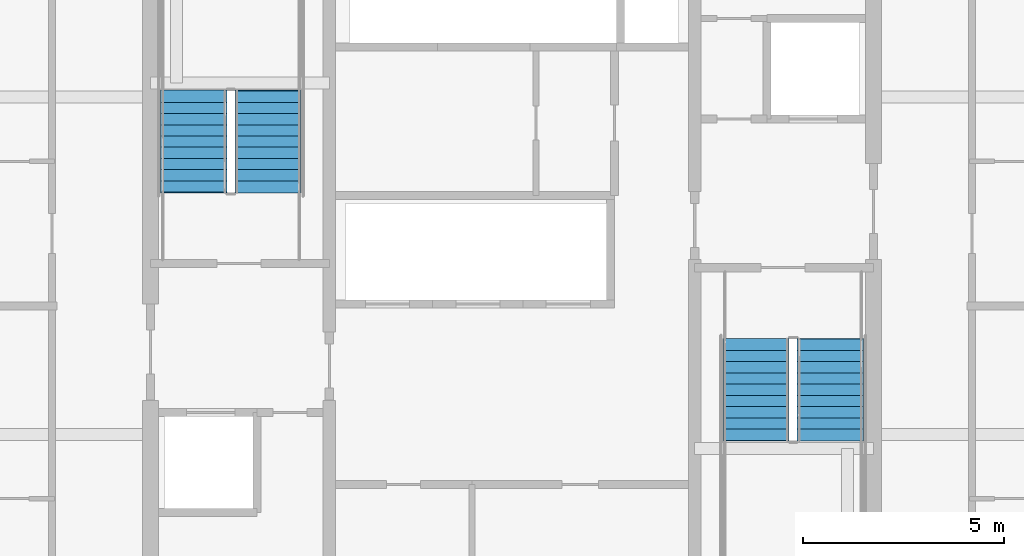
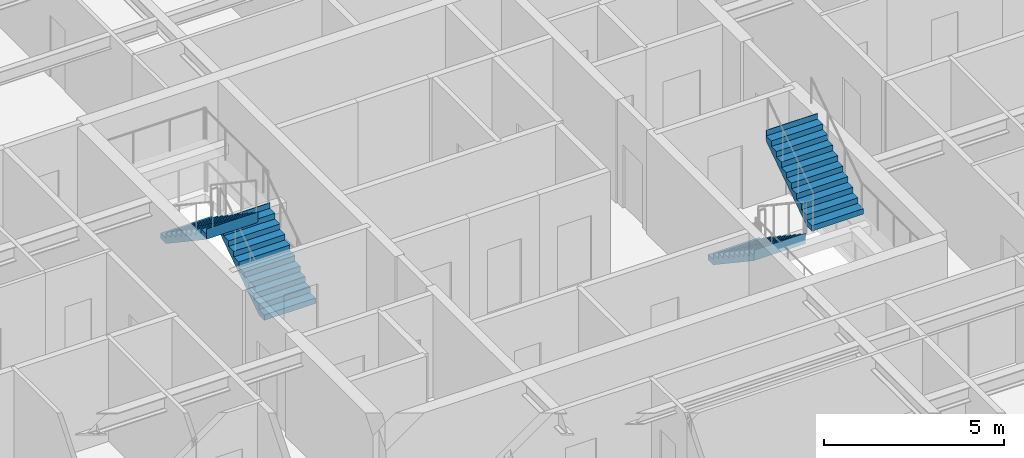
# One storey, part 33 of 39: 4 stair flights, 2 elements without a shape of their own.
"""IFC4 building model written with IfcOpenShell, lengths in metres."""

from ifc_helpers import new_model, si_unit, direction, frame, origin, place, context, subcontext, project, spatial, polygons, material, type_object, element, aggregate, save


model = new_model("IFC4")

# Units and contexts
model_context = context("Model", 3, precision=1e-05, world=origin(), true_north=direction((0.0, 1.0)))
body_context = subcontext(model_context, "Body", "Model", "MODEL_VIEW")
ifc_project = project(units=[si_unit("LENGTHUNIT", "METRE"), si_unit("AREAUNIT", "SQUARE_METRE"), si_unit("VOLUMEUNIT", "CUBIC_METRE"), si_unit("PLANEANGLEUNIT", "RADIAN"), si_unit("MASSUNIT", "GRAM", prefix="KILO")], contexts=[model_context])

# Site, building, storey
site_placement = place(None, origin())
site = spatial("IfcSite", under=ifc_project, at=site_placement, CompositionType="ELEMENT")
building_placement = place(site_placement, origin())
building = spatial("IfcBuilding", under=site, at=building_placement, Name="Serunith Strait Residences", CompositionType="ELEMENT")
storey_placement = place(building_placement, frame((0.0, 0.0, 123.89990234375)))
storey = spatial("IfcBuildingStorey", under=building, at=storey_placement, Name="L30", CompositionType="ELEMENT", Elevation=123.89990234375)

# Stair, stair flights
ifc_material = material(Name="Concrete C50/60", Category="concrete")
stair_type_1 = type_object("IfcStairType", Name="STR-CORE-1", PredefinedType="HALF_TURN_STAIR", material=ifc_material)
stair_1_placement = place(storey_placement, origin())
stair_1 = element("IfcStair", 1, at=stair_1_placement, inside=storey, type_object=stair_type_1, Name="L30 Protected Escape Stair ST-1", PredefinedType="HALF_TURN_STAIR")
stair_flight_type_1 = type_object("IfcStairFlightType", Name="FLT-CORE-1", PredefinedType="STRAIGHT", material=ifc_material)
stair_flight_1_placement = place(storey_placement, frame((26.324951171875, 27.030029296875, 0.0), z_axis=(0.0, 0.0, 1.0), x_axis=(0.0, 1.0, 0.0)))
stair_flight_1 = element("IfcStairFlight", 2, at=stair_flight_1_placement, type_object=stair_flight_type_1, Name="ST-1 flight 1", NumberOfRisers=10, NumberOfTreads=9, PredefinedType="STRAIGHT", RiserHeight=0.1875, TreadLength=0.28, context=body_context, shape_type="Tessellation", body=[
    polygons([(-0.02001953125, -0.824951171875, 0.0), (-0.02001953125, -0.824951171875, 0.1875), (0.280029296875, -0.824951171875, 0.1875), (0.280029296875, -0.824951171875, 0.375), (0.56005859375, -0.824951171875, 0.375), (0.56005859375, -0.824951171875, 0.5625), (0.840087890625, -0.824951171875, 0.5625), (0.840087890625, -0.824951171875, 0.75), (1.1201171875, -0.824951171875, 0.75), (1.1201171875, -0.824951171875, 0.9375), (1.39990234375, -0.824951171875, 0.9375), (1.39990234375, -0.824951171875, 1.125), (1.679931640625, -0.824951171875, 1.125), (1.679931640625, -0.824951171875, 1.3125), (1.9599609375, -0.824951171875, 1.3125), (1.9599609375, -0.824951171875, 1.5), (2.239990234375, -0.824951171875, 1.5), (2.239990234375, -0.824951171875, 1.6875), (2.52001953125, -0.824951171875, 1.6875), (2.52001953125, -0.824951171875, 1.875), (2.5400390625, -0.824951171875, 1.875), (2.5400390625, -0.824951171875, 1.81494140625), (2.52001953125, -0.824951171875, 1.507080078125), (0.26953125, -0.824951171875, 0.0), (-0.02001953125, -0.41259765625, 0.0), (-0.02001953125, -0.41259765625, 0.1875), (0.280029296875, -0.41259765625, 0.1875), (0.280029296875, -0.41259765625, 0.375), (0.56005859375, -0.41259765625, 0.375), (0.56005859375, -0.41259765625, 0.5625), (0.840087890625, -0.41259765625, 0.5625), (0.840087890625, -0.41259765625, 0.75), (1.1201171875, -0.41259765625, 0.75), (1.1201171875, -0.41259765625, 0.9375), (1.39990234375, -0.41259765625, 0.9375), (1.39990234375, -0.41259765625, 1.125), (1.679931640625, -0.41259765625, 1.125), (1.679931640625, -0.41259765625, 1.3125), (1.9599609375, -0.41259765625, 1.3125), (1.9599609375, -0.41259765625, 1.5), (2.239990234375, -0.41259765625, 1.5), (2.239990234375, -0.41259765625, 1.6875), (2.52001953125, -0.41259765625, 1.6875), (2.52001953125, -0.41259765625, 1.875), (2.5400390625, -0.41259765625, 1.875), (2.5400390625, -0.41259765625, 1.81494140625), (2.52001953125, -0.41259765625, 1.507080078125), (0.26953125, -0.41259765625, 0.0), (-0.02001953125, 0.0, 0.0), (-0.02001953125, 0.0, 0.1875), (0.280029296875, 0.0, 0.1875), (0.280029296875, 0.0, 0.375), (0.56005859375, 0.0, 0.375), (0.56005859375, 0.0, 0.5625), (0.840087890625, 0.0, 0.5625), (0.840087890625, 0.0, 0.75), (1.1201171875, 0.0, 0.75), (1.1201171875, 0.0, 0.9375), (1.39990234375, 0.0, 0.9375), (1.39990234375, 0.0, 1.125), (1.679931640625, 0.0, 1.125), (1.679931640625, 0.0, 1.3125), (1.9599609375, 0.0, 1.3125), (1.9599609375, 0.0, 1.5), (2.239990234375, 0.0, 1.5), (2.239990234375, 0.0, 1.6875), (2.52001953125, 0.0, 1.6875), (2.52001953125, 0.0, 1.875), (2.5400390625, 0.0, 1.875), (2.5400390625, 0.0, 1.81494140625), (2.52001953125, 0.0, 1.507080078125), (0.26953125, 0.0, 0.0), (-0.02001953125, 0.41259765625, 0.0), (-0.02001953125, 0.41259765625, 0.1875), (0.280029296875, 0.41259765625, 0.1875), (0.280029296875, 0.41259765625, 0.375), (0.56005859375, 0.41259765625, 0.375), (0.56005859375, 0.41259765625, 0.5625), (0.840087890625, 0.41259765625, 0.5625), (0.840087890625, 0.41259765625, 0.75), (1.1201171875, 0.41259765625, 0.75), (1.1201171875, 0.41259765625, 0.9375), (1.39990234375, 0.41259765625, 0.9375), (1.39990234375, 0.41259765625, 1.125), (1.679931640625, 0.41259765625, 1.125), (1.679931640625, 0.41259765625, 1.3125), (1.9599609375, 0.41259765625, 1.3125), (1.9599609375, 0.41259765625, 1.5), (2.239990234375, 0.41259765625, 1.5), (2.239990234375, 0.41259765625, 1.6875), (2.52001953125, 0.41259765625, 1.6875), (2.52001953125, 0.41259765625, 1.875), (2.5400390625, 0.41259765625, 1.875), (2.5400390625, 0.41259765625, 1.81494140625), (2.52001953125, 0.41259765625, 1.507080078125), (0.26953125, 0.41259765625, 0.0), (-0.02001953125, 0.824951171875, 0.0), (-0.02001953125, 0.824951171875, 0.1875), (0.280029296875, 0.824951171875, 0.1875), (0.280029296875, 0.824951171875, 0.375), (0.56005859375, 0.824951171875, 0.375), (0.56005859375, 0.824951171875, 0.5625), (0.840087890625, 0.824951171875, 0.5625), (0.840087890625, 0.824951171875, 0.75), (1.1201171875, 0.824951171875, 0.75), (1.1201171875, 0.824951171875, 0.9375), (1.39990234375, 0.824951171875, 0.9375), (1.39990234375, 0.824951171875, 1.125), (1.679931640625, 0.824951171875, 1.125), (1.679931640625, 0.824951171875, 1.3125), (1.9599609375, 0.824951171875, 1.3125), (1.9599609375, 0.824951171875, 1.5), (2.239990234375, 0.824951171875, 1.5), (2.239990234375, 0.824951171875, 1.6875), (2.52001953125, 0.824951171875, 1.6875), (2.52001953125, 0.824951171875, 1.875), (2.5400390625, 0.824951171875, 1.875), (2.5400390625, 0.824951171875, 1.81494140625), (2.52001953125, 0.824951171875, 1.507080078125), (0.26953125, 0.824951171875, 0.0)], [[[1, 2, 26, 25]], [[2, 3, 27, 26]], [[3, 4, 28, 27]], [[4, 5, 29, 28]], [[5, 6, 30, 29]], [[6, 7, 31, 30]], [[7, 8, 32, 31]], [[8, 9, 33, 32]], [[9, 10, 34, 33]], [[10, 11, 35, 34]], [[11, 12, 36, 35]], [[12, 13, 37, 36]], [[13, 14, 38, 37]], [[14, 15, 39, 38]], [[15, 16, 40, 39]], [[16, 17, 41, 40]], [[17, 18, 42, 41]], [[18, 19, 43, 42]], [[19, 20, 44, 43]], [[20, 21, 45, 44]], [[21, 22, 46, 45]], [[22, 23, 47, 46]], [[23, 24, 48, 47]], [[24, 1, 25, 48]], [[25, 26, 50, 49]], [[26, 27, 51, 50]], [[27, 28, 52, 51]], [[28, 29, 53, 52]], [[29, 30, 54, 53]], [[30, 31, 55, 54]], [[31, 32, 56, 55]], [[32, 33, 57, 56]], [[33, 34, 58, 57]], [[34, 35, 59, 58]], [[35, 36, 60, 59]], [[36, 37, 61, 60]], [[37, 38, 62, 61]], [[38, 39, 63, 62]], [[39, 40, 64, 63]], [[40, 41, 65, 64]], [[41, 42, 66, 65]], [[42, 43, 67, 66]], [[43, 44, 68, 67]], [[44, 45, 69, 68]], [[45, 46, 70, 69]], [[46, 47, 71, 70]], [[47, 48, 72, 71]], [[48, 25, 49, 72]], [[49, 50, 74, 73]], [[50, 51, 75, 74]], [[51, 52, 76, 75]], [[52, 53, 77, 76]], [[53, 54, 78, 77]], [[54, 55, 79, 78]], [[55, 56, 80, 79]], [[56, 57, 81, 80]], [[57, 58, 82, 81]], [[58, 59, 83, 82]], [[59, 60, 84, 83]], [[60, 61, 85, 84]], [[61, 62, 86, 85]], [[62, 63, 87, 86]], [[63, 64, 88, 87]], [[64, 65, 89, 88]], [[65, 66, 90, 89]], [[66, 67, 91, 90]], [[67, 68, 92, 91]], [[68, 69, 93, 92]], [[69, 70, 94, 93]], [[70, 71, 95, 94]], [[71, 72, 96, 95]], [[72, 49, 73, 96]], [[73, 74, 98, 97]], [[74, 75, 99, 98]], [[75, 76, 100, 99]], [[76, 77, 101, 100]], [[77, 78, 102, 101]], [[78, 79, 103, 102]], [[79, 80, 104, 103]], [[80, 81, 105, 104]], [[81, 82, 106, 105]], [[82, 83, 107, 106]], [[83, 84, 108, 107]], [[84, 85, 109, 108]], [[85, 86, 110, 109]], [[86, 87, 111, 110]], [[87, 88, 112, 111]], [[88, 89, 113, 112]], [[89, 90, 114, 113]], [[90, 91, 115, 114]], [[91, 92, 116, 115]], [[92, 93, 117, 116]], [[93, 94, 118, 117]], [[94, 95, 119, 118]], [[95, 96, 120, 119]], [[96, 73, 97, 120]], [[24, 23, 22, 21, 20, 19, 18, 17, 16, 15, 14, 13, 12, 11, 10, 9, 8, 7, 6, 5, 4, 3, 2, 1]], [[97, 98, 99, 100, 101, 102, 103, 104, 105, 106, 107, 108, 109, 110, 111, 112, 113, 114, 115, 116, 117, 118, 119, 120]]], closed=True),
])
stair_flight_2_placement = place(storey_placement, frame((24.47509765625, 29.550048828125, 1.875), z_axis=(0.0, 0.0, 1.0), x_axis=(0.0, -1.0, 0.0)))
stair_flight_2 = element("IfcStairFlight", 3, at=stair_flight_2_placement, type_object=stair_flight_type_1, Name="ST-1 flight 2", NumberOfRisers=10, NumberOfTreads=9, PredefinedType="STRAIGHT", RiserHeight=0.1875, TreadLength=0.28, context=body_context, shape_type="Tessellation", body=[
    polygons([(-0.02001953125, -0.824951171875, 0.0), (-0.02001953125, -0.824951171875, 0.1875), (0.280029296875, -0.824951171875, 0.1875), (0.280029296875, -0.824951171875, 0.375), (0.56005859375, -0.824951171875, 0.375), (0.56005859375, -0.824951171875, 0.5625), (0.840087890625, -0.824951171875, 0.5625), (0.840087890625, -0.824951171875, 0.75), (1.1201171875, -0.824951171875, 0.75), (1.1201171875, -0.824951171875, 0.9375), (1.39990234375, -0.824951171875, 0.9375), (1.39990234375, -0.824951171875, 1.125), (1.679931640625, -0.824951171875, 1.125), (1.679931640625, -0.824951171875, 1.3125), (1.9599609375, -0.824951171875, 1.3125), (1.9599609375, -0.824951171875, 1.5), (2.239990234375, -0.824951171875, 1.5), (2.239990234375, -0.824951171875, 1.6875), (2.52001953125, -0.824951171875, 1.6875), (2.52001953125, -0.824951171875, 1.875), (2.5400390625, -0.824951171875, 1.875), (2.5400390625, -0.824951171875, 1.81494140625), (2.52001953125, -0.824951171875, 1.507080078125), (0.26953125, -0.824951171875, 0.0), (-0.02001953125, -0.41259765625, 0.0), (-0.02001953125, -0.41259765625, 0.1875), (0.280029296875, -0.41259765625, 0.1875), (0.280029296875, -0.41259765625, 0.375), (0.56005859375, -0.41259765625, 0.375), (0.56005859375, -0.41259765625, 0.5625), (0.840087890625, -0.41259765625, 0.5625), (0.840087890625, -0.41259765625, 0.75), (1.1201171875, -0.41259765625, 0.75), (1.1201171875, -0.41259765625, 0.9375), (1.39990234375, -0.41259765625, 0.9375), (1.39990234375, -0.41259765625, 1.125), (1.679931640625, -0.41259765625, 1.125), (1.679931640625, -0.41259765625, 1.3125), (1.9599609375, -0.41259765625, 1.3125), (1.9599609375, -0.41259765625, 1.5), (2.239990234375, -0.41259765625, 1.5), (2.239990234375, -0.41259765625, 1.6875), (2.52001953125, -0.41259765625, 1.6875), (2.52001953125, -0.41259765625, 1.875), (2.5400390625, -0.41259765625, 1.875), (2.5400390625, -0.41259765625, 1.81494140625), (2.52001953125, -0.41259765625, 1.507080078125), (0.26953125, -0.41259765625, 0.0), (-0.02001953125, 0.0, 0.0), (-0.02001953125, 0.0, 0.1875), (0.280029296875, 0.0, 0.1875), (0.280029296875, 0.0, 0.375), (0.56005859375, 0.0, 0.375), (0.56005859375, 0.0, 0.5625), (0.840087890625, 0.0, 0.5625), (0.840087890625, 0.0, 0.75), (1.1201171875, 0.0, 0.75), (1.1201171875, 0.0, 0.9375), (1.39990234375, 0.0, 0.9375), (1.39990234375, 0.0, 1.125), (1.679931640625, 0.0, 1.125), (1.679931640625, 0.0, 1.3125), (1.9599609375, 0.0, 1.3125), (1.9599609375, 0.0, 1.5), (2.239990234375, 0.0, 1.5), (2.239990234375, 0.0, 1.6875), (2.52001953125, 0.0, 1.6875), (2.52001953125, 0.0, 1.875), (2.5400390625, 0.0, 1.875), (2.5400390625, 0.0, 1.81494140625), (2.52001953125, 0.0, 1.507080078125), (0.26953125, 0.0, 0.0), (-0.02001953125, 0.41259765625, 0.0), (-0.02001953125, 0.41259765625, 0.1875), (0.280029296875, 0.41259765625, 0.1875), (0.280029296875, 0.41259765625, 0.375), (0.56005859375, 0.41259765625, 0.375), (0.56005859375, 0.41259765625, 0.5625), (0.840087890625, 0.41259765625, 0.5625), (0.840087890625, 0.41259765625, 0.75), (1.1201171875, 0.41259765625, 0.75), (1.1201171875, 0.41259765625, 0.9375), (1.39990234375, 0.41259765625, 0.9375), (1.39990234375, 0.41259765625, 1.125), (1.679931640625, 0.41259765625, 1.125), (1.679931640625, 0.41259765625, 1.3125), (1.9599609375, 0.41259765625, 1.3125), (1.9599609375, 0.41259765625, 1.5), (2.239990234375, 0.41259765625, 1.5), (2.239990234375, 0.41259765625, 1.6875), (2.52001953125, 0.41259765625, 1.6875), (2.52001953125, 0.41259765625, 1.875), (2.5400390625, 0.41259765625, 1.875), (2.5400390625, 0.41259765625, 1.81494140625), (2.52001953125, 0.41259765625, 1.507080078125), (0.26953125, 0.41259765625, 0.0), (-0.02001953125, 0.824951171875, 0.0), (-0.02001953125, 0.824951171875, 0.1875), (0.280029296875, 0.824951171875, 0.1875), (0.280029296875, 0.824951171875, 0.375), (0.56005859375, 0.824951171875, 0.375), (0.56005859375, 0.824951171875, 0.5625), (0.840087890625, 0.824951171875, 0.5625), (0.840087890625, 0.824951171875, 0.75), (1.1201171875, 0.824951171875, 0.75), (1.1201171875, 0.824951171875, 0.9375), (1.39990234375, 0.824951171875, 0.9375), (1.39990234375, 0.824951171875, 1.125), (1.679931640625, 0.824951171875, 1.125), (1.679931640625, 0.824951171875, 1.3125), (1.9599609375, 0.824951171875, 1.3125), (1.9599609375, 0.824951171875, 1.5), (2.239990234375, 0.824951171875, 1.5), (2.239990234375, 0.824951171875, 1.6875), (2.52001953125, 0.824951171875, 1.6875), (2.52001953125, 0.824951171875, 1.875), (2.5400390625, 0.824951171875, 1.875), (2.5400390625, 0.824951171875, 1.81494140625), (2.52001953125, 0.824951171875, 1.507080078125), (0.26953125, 0.824951171875, 0.0)], [[[1, 2, 26, 25]], [[2, 3, 27, 26]], [[3, 4, 28, 27]], [[4, 5, 29, 28]], [[5, 6, 30, 29]], [[6, 7, 31, 30]], [[7, 8, 32, 31]], [[8, 9, 33, 32]], [[9, 10, 34, 33]], [[10, 11, 35, 34]], [[11, 12, 36, 35]], [[12, 13, 37, 36]], [[13, 14, 38, 37]], [[14, 15, 39, 38]], [[15, 16, 40, 39]], [[16, 17, 41, 40]], [[17, 18, 42, 41]], [[18, 19, 43, 42]], [[19, 20, 44, 43]], [[20, 21, 45, 44]], [[21, 22, 46, 45]], [[22, 23, 47, 46]], [[23, 24, 48, 47]], [[24, 1, 25, 48]], [[25, 26, 50, 49]], [[26, 27, 51, 50]], [[27, 28, 52, 51]], [[28, 29, 53, 52]], [[29, 30, 54, 53]], [[30, 31, 55, 54]], [[31, 32, 56, 55]], [[32, 33, 57, 56]], [[33, 34, 58, 57]], [[34, 35, 59, 58]], [[35, 36, 60, 59]], [[36, 37, 61, 60]], [[37, 38, 62, 61]], [[38, 39, 63, 62]], [[39, 40, 64, 63]], [[40, 41, 65, 64]], [[41, 42, 66, 65]], [[42, 43, 67, 66]], [[43, 44, 68, 67]], [[44, 45, 69, 68]], [[45, 46, 70, 69]], [[46, 47, 71, 70]], [[47, 48, 72, 71]], [[48, 25, 49, 72]], [[49, 50, 74, 73]], [[50, 51, 75, 74]], [[51, 52, 76, 75]], [[52, 53, 77, 76]], [[53, 54, 78, 77]], [[54, 55, 79, 78]], [[55, 56, 80, 79]], [[56, 57, 81, 80]], [[57, 58, 82, 81]], [[58, 59, 83, 82]], [[59, 60, 84, 83]], [[60, 61, 85, 84]], [[61, 62, 86, 85]], [[62, 63, 87, 86]], [[63, 64, 88, 87]], [[64, 65, 89, 88]], [[65, 66, 90, 89]], [[66, 67, 91, 90]], [[67, 68, 92, 91]], [[68, 69, 93, 92]], [[69, 70, 94, 93]], [[70, 71, 95, 94]], [[71, 72, 96, 95]], [[72, 49, 73, 96]], [[73, 74, 98, 97]], [[74, 75, 99, 98]], [[75, 76, 100, 99]], [[76, 77, 101, 100]], [[77, 78, 102, 101]], [[78, 79, 103, 102]], [[79, 80, 104, 103]], [[80, 81, 105, 104]], [[81, 82, 106, 105]], [[82, 83, 107, 106]], [[83, 84, 108, 107]], [[84, 85, 109, 108]], [[85, 86, 110, 109]], [[86, 87, 111, 110]], [[87, 88, 112, 111]], [[88, 89, 113, 112]], [[89, 90, 114, 113]], [[90, 91, 115, 114]], [[91, 92, 116, 115]], [[92, 93, 117, 116]], [[93, 94, 118, 117]], [[94, 95, 119, 118]], [[95, 96, 120, 119]], [[96, 73, 97, 120]], [[24, 23, 22, 21, 20, 19, 18, 17, 16, 15, 14, 13, 12, 11, 10, 9, 8, 7, 6, 5, 4, 3, 2, 1]], [[97, 98, 99, 100, 101, 102, 103, 104, 105, 106, 107, 108, 109, 110, 111, 112, 113, 114, 115, 116, 117, 118, 119, 120]]], closed=True),
])
aggregate(stair_1, [stair_flight_1, stair_flight_2])

stair_type_2 = type_object("IfcStairType", Name="STR-CORE-2", PredefinedType="HALF_TURN_STAIR", material=ifc_material)
stair_2_placement = place(storey_placement, origin())
stair_2 = element("IfcStair", 4, at=stair_2_placement, inside=storey, type_object=stair_type_2, Name="L30 Protected Escape Stair ST-2", PredefinedType="HALF_TURN_STAIR")
stair_flight_type_2 = type_object("IfcStairFlightType", Name="FLT-CORE-2", PredefinedType="STRAIGHT", material=ifc_material)
stair_flight_3_placement = place(storey_placement, frame((38.47509765625, 23.3701171875, 0.0), z_axis=(0.0, 0.0, 1.0), x_axis=(0.0, -1.0, 0.0)))
stair_flight_3 = element("IfcStairFlight", 5, at=stair_flight_3_placement, type_object=stair_flight_type_2, Name="ST-2 flight 1", NumberOfRisers=10, NumberOfTreads=9, PredefinedType="STRAIGHT", RiserHeight=0.1875, TreadLength=0.28, context=body_context, shape_type="Tessellation", body=[
    polygons([(-0.02001953125, -0.824951171875, 0.0), (-0.02001953125, -0.824951171875, 0.1875), (0.280029296875, -0.824951171875, 0.1875), (0.280029296875, -0.824951171875, 0.375), (0.56005859375, -0.824951171875, 0.375), (0.56005859375, -0.824951171875, 0.5625), (0.840087890625, -0.824951171875, 0.5625), (0.840087890625, -0.824951171875, 0.75), (1.1201171875, -0.824951171875, 0.75), (1.1201171875, -0.824951171875, 0.9375), (1.39990234375, -0.824951171875, 0.9375), (1.39990234375, -0.824951171875, 1.125), (1.679931640625, -0.824951171875, 1.125), (1.679931640625, -0.824951171875, 1.3125), (1.9599609375, -0.824951171875, 1.3125), (1.9599609375, -0.824951171875, 1.5), (2.239990234375, -0.824951171875, 1.5), (2.239990234375, -0.824951171875, 1.6875), (2.52001953125, -0.824951171875, 1.6875), (2.52001953125, -0.824951171875, 1.875), (2.5400390625, -0.824951171875, 1.875), (2.5400390625, -0.824951171875, 1.81494140625), (2.52001953125, -0.824951171875, 1.507080078125), (0.26953125, -0.824951171875, 0.0), (-0.02001953125, -0.41259765625, 0.0), (-0.02001953125, -0.41259765625, 0.1875), (0.280029296875, -0.41259765625, 0.1875), (0.280029296875, -0.41259765625, 0.375), (0.56005859375, -0.41259765625, 0.375), (0.56005859375, -0.41259765625, 0.5625), (0.840087890625, -0.41259765625, 0.5625), (0.840087890625, -0.41259765625, 0.75), (1.1201171875, -0.41259765625, 0.75), (1.1201171875, -0.41259765625, 0.9375), (1.39990234375, -0.41259765625, 0.9375), (1.39990234375, -0.41259765625, 1.125), (1.679931640625, -0.41259765625, 1.125), (1.679931640625, -0.41259765625, 1.3125), (1.9599609375, -0.41259765625, 1.3125), (1.9599609375, -0.41259765625, 1.5), (2.239990234375, -0.41259765625, 1.5), (2.239990234375, -0.41259765625, 1.6875), (2.52001953125, -0.41259765625, 1.6875), (2.52001953125, -0.41259765625, 1.875), (2.5400390625, -0.41259765625, 1.875), (2.5400390625, -0.41259765625, 1.81494140625), (2.52001953125, -0.41259765625, 1.507080078125), (0.26953125, -0.41259765625, 0.0), (-0.02001953125, 0.0, 0.0), (-0.02001953125, 0.0, 0.1875), (0.280029296875, 0.0, 0.1875), (0.280029296875, 0.0, 0.375), (0.56005859375, 0.0, 0.375), (0.56005859375, 0.0, 0.5625), (0.840087890625, 0.0, 0.5625), (0.840087890625, 0.0, 0.75), (1.1201171875, 0.0, 0.75), (1.1201171875, 0.0, 0.9375), (1.39990234375, 0.0, 0.9375), (1.39990234375, 0.0, 1.125), (1.679931640625, 0.0, 1.125), (1.679931640625, 0.0, 1.3125), (1.9599609375, 0.0, 1.3125), (1.9599609375, 0.0, 1.5), (2.239990234375, 0.0, 1.5), (2.239990234375, 0.0, 1.6875), (2.52001953125, 0.0, 1.6875), (2.52001953125, 0.0, 1.875), (2.5400390625, 0.0, 1.875), (2.5400390625, 0.0, 1.81494140625), (2.52001953125, 0.0, 1.507080078125), (0.26953125, 0.0, 0.0), (-0.02001953125, 0.41259765625, 0.0), (-0.02001953125, 0.41259765625, 0.1875), (0.280029296875, 0.41259765625, 0.1875), (0.280029296875, 0.41259765625, 0.375), (0.56005859375, 0.41259765625, 0.375), (0.56005859375, 0.41259765625, 0.5625), (0.840087890625, 0.41259765625, 0.5625), (0.840087890625, 0.41259765625, 0.75), (1.1201171875, 0.41259765625, 0.75), (1.1201171875, 0.41259765625, 0.9375), (1.39990234375, 0.41259765625, 0.9375), (1.39990234375, 0.41259765625, 1.125), (1.679931640625, 0.41259765625, 1.125), (1.679931640625, 0.41259765625, 1.3125), (1.9599609375, 0.41259765625, 1.3125), (1.9599609375, 0.41259765625, 1.5), (2.239990234375, 0.41259765625, 1.5), (2.239990234375, 0.41259765625, 1.6875), (2.52001953125, 0.41259765625, 1.6875), (2.52001953125, 0.41259765625, 1.875), (2.5400390625, 0.41259765625, 1.875), (2.5400390625, 0.41259765625, 1.81494140625), (2.52001953125, 0.41259765625, 1.507080078125), (0.26953125, 0.41259765625, 0.0), (-0.02001953125, 0.824951171875, 0.0), (-0.02001953125, 0.824951171875, 0.1875), (0.280029296875, 0.824951171875, 0.1875), (0.280029296875, 0.824951171875, 0.375), (0.56005859375, 0.824951171875, 0.375), (0.56005859375, 0.824951171875, 0.5625), (0.840087890625, 0.824951171875, 0.5625), (0.840087890625, 0.824951171875, 0.75), (1.1201171875, 0.824951171875, 0.75), (1.1201171875, 0.824951171875, 0.9375), (1.39990234375, 0.824951171875, 0.9375), (1.39990234375, 0.824951171875, 1.125), (1.679931640625, 0.824951171875, 1.125), (1.679931640625, 0.824951171875, 1.3125), (1.9599609375, 0.824951171875, 1.3125), (1.9599609375, 0.824951171875, 1.5), (2.239990234375, 0.824951171875, 1.5), (2.239990234375, 0.824951171875, 1.6875), (2.52001953125, 0.824951171875, 1.6875), (2.52001953125, 0.824951171875, 1.875), (2.5400390625, 0.824951171875, 1.875), (2.5400390625, 0.824951171875, 1.81494140625), (2.52001953125, 0.824951171875, 1.507080078125), (0.26953125, 0.824951171875, 0.0)], [[[1, 2, 26, 25]], [[2, 3, 27, 26]], [[3, 4, 28, 27]], [[4, 5, 29, 28]], [[5, 6, 30, 29]], [[6, 7, 31, 30]], [[7, 8, 32, 31]], [[8, 9, 33, 32]], [[9, 10, 34, 33]], [[10, 11, 35, 34]], [[11, 12, 36, 35]], [[12, 13, 37, 36]], [[13, 14, 38, 37]], [[14, 15, 39, 38]], [[15, 16, 40, 39]], [[16, 17, 41, 40]], [[17, 18, 42, 41]], [[18, 19, 43, 42]], [[19, 20, 44, 43]], [[20, 21, 45, 44]], [[21, 22, 46, 45]], [[22, 23, 47, 46]], [[23, 24, 48, 47]], [[24, 1, 25, 48]], [[25, 26, 50, 49]], [[26, 27, 51, 50]], [[27, 28, 52, 51]], [[28, 29, 53, 52]], [[29, 30, 54, 53]], [[30, 31, 55, 54]], [[31, 32, 56, 55]], [[32, 33, 57, 56]], [[33, 34, 58, 57]], [[34, 35, 59, 58]], [[35, 36, 60, 59]], [[36, 37, 61, 60]], [[37, 38, 62, 61]], [[38, 39, 63, 62]], [[39, 40, 64, 63]], [[40, 41, 65, 64]], [[41, 42, 66, 65]], [[42, 43, 67, 66]], [[43, 44, 68, 67]], [[44, 45, 69, 68]], [[45, 46, 70, 69]], [[46, 47, 71, 70]], [[47, 48, 72, 71]], [[48, 25, 49, 72]], [[49, 50, 74, 73]], [[50, 51, 75, 74]], [[51, 52, 76, 75]], [[52, 53, 77, 76]], [[53, 54, 78, 77]], [[54, 55, 79, 78]], [[55, 56, 80, 79]], [[56, 57, 81, 80]], [[57, 58, 82, 81]], [[58, 59, 83, 82]], [[59, 60, 84, 83]], [[60, 61, 85, 84]], [[61, 62, 86, 85]], [[62, 63, 87, 86]], [[63, 64, 88, 87]], [[64, 65, 89, 88]], [[65, 66, 90, 89]], [[66, 67, 91, 90]], [[67, 68, 92, 91]], [[68, 69, 93, 92]], [[69, 70, 94, 93]], [[70, 71, 95, 94]], [[71, 72, 96, 95]], [[72, 49, 73, 96]], [[73, 74, 98, 97]], [[74, 75, 99, 98]], [[75, 76, 100, 99]], [[76, 77, 101, 100]], [[77, 78, 102, 101]], [[78, 79, 103, 102]], [[79, 80, 104, 103]], [[80, 81, 105, 104]], [[81, 82, 106, 105]], [[82, 83, 107, 106]], [[83, 84, 108, 107]], [[84, 85, 109, 108]], [[85, 86, 110, 109]], [[86, 87, 111, 110]], [[87, 88, 112, 111]], [[88, 89, 113, 112]], [[89, 90, 114, 113]], [[90, 91, 115, 114]], [[91, 92, 116, 115]], [[92, 93, 117, 116]], [[93, 94, 118, 117]], [[94, 95, 119, 118]], [[95, 96, 120, 119]], [[96, 73, 97, 120]], [[24, 23, 22, 21, 20, 19, 18, 17, 16, 15, 14, 13, 12, 11, 10, 9, 8, 7, 6, 5, 4, 3, 2, 1]], [[97, 98, 99, 100, 101, 102, 103, 104, 105, 106, 107, 108, 109, 110, 111, 112, 113, 114, 115, 116, 117, 118, 119, 120]]], closed=True),
])
stair_flight_4_placement = place(storey_placement, frame((40.324951171875, 20.85009765625, 1.875), z_axis=(0.0, 0.0, 1.0), x_axis=(0.0, 1.0, 0.0)))
stair_flight_4 = element("IfcStairFlight", 6, at=stair_flight_4_placement, type_object=stair_flight_type_2, Name="ST-2 flight 2", NumberOfRisers=10, NumberOfTreads=9, PredefinedType="STRAIGHT", RiserHeight=0.1875, TreadLength=0.28, context=body_context, shape_type="Tessellation", body=[
    polygons([(-0.02001953125, -0.824951171875, 0.0), (-0.02001953125, -0.824951171875, 0.1875), (0.280029296875, -0.824951171875, 0.1875), (0.280029296875, -0.824951171875, 0.375), (0.56005859375, -0.824951171875, 0.375), (0.56005859375, -0.824951171875, 0.5625), (0.840087890625, -0.824951171875, 0.5625), (0.840087890625, -0.824951171875, 0.75), (1.1201171875, -0.824951171875, 0.75), (1.1201171875, -0.824951171875, 0.9375), (1.39990234375, -0.824951171875, 0.9375), (1.39990234375, -0.824951171875, 1.125), (1.679931640625, -0.824951171875, 1.125), (1.679931640625, -0.824951171875, 1.3125), (1.9599609375, -0.824951171875, 1.3125), (1.9599609375, -0.824951171875, 1.5), (2.239990234375, -0.824951171875, 1.5), (2.239990234375, -0.824951171875, 1.6875), (2.52001953125, -0.824951171875, 1.6875), (2.52001953125, -0.824951171875, 1.875), (2.5400390625, -0.824951171875, 1.875), (2.5400390625, -0.824951171875, 1.81494140625), (2.52001953125, -0.824951171875, 1.507080078125), (0.26953125, -0.824951171875, 0.0), (-0.02001953125, -0.41259765625, 0.0), (-0.02001953125, -0.41259765625, 0.1875), (0.280029296875, -0.41259765625, 0.1875), (0.280029296875, -0.41259765625, 0.375), (0.56005859375, -0.41259765625, 0.375), (0.56005859375, -0.41259765625, 0.5625), (0.840087890625, -0.41259765625, 0.5625), (0.840087890625, -0.41259765625, 0.75), (1.1201171875, -0.41259765625, 0.75), (1.1201171875, -0.41259765625, 0.9375), (1.39990234375, -0.41259765625, 0.9375), (1.39990234375, -0.41259765625, 1.125), (1.679931640625, -0.41259765625, 1.125), (1.679931640625, -0.41259765625, 1.3125), (1.9599609375, -0.41259765625, 1.3125), (1.9599609375, -0.41259765625, 1.5), (2.239990234375, -0.41259765625, 1.5), (2.239990234375, -0.41259765625, 1.6875), (2.52001953125, -0.41259765625, 1.6875), (2.52001953125, -0.41259765625, 1.875), (2.5400390625, -0.41259765625, 1.875), (2.5400390625, -0.41259765625, 1.81494140625), (2.52001953125, -0.41259765625, 1.507080078125), (0.26953125, -0.41259765625, 0.0), (-0.02001953125, 0.0, 0.0), (-0.02001953125, 0.0, 0.1875), (0.280029296875, 0.0, 0.1875), (0.280029296875, 0.0, 0.375), (0.56005859375, 0.0, 0.375), (0.56005859375, 0.0, 0.5625), (0.840087890625, 0.0, 0.5625), (0.840087890625, 0.0, 0.75), (1.1201171875, 0.0, 0.75), (1.1201171875, 0.0, 0.9375), (1.39990234375, 0.0, 0.9375), (1.39990234375, 0.0, 1.125), (1.679931640625, 0.0, 1.125), (1.679931640625, 0.0, 1.3125), (1.9599609375, 0.0, 1.3125), (1.9599609375, 0.0, 1.5), (2.239990234375, 0.0, 1.5), (2.239990234375, 0.0, 1.6875), (2.52001953125, 0.0, 1.6875), (2.52001953125, 0.0, 1.875), (2.5400390625, 0.0, 1.875), (2.5400390625, 0.0, 1.81494140625), (2.52001953125, 0.0, 1.507080078125), (0.26953125, 0.0, 0.0), (-0.02001953125, 0.41259765625, 0.0), (-0.02001953125, 0.41259765625, 0.1875), (0.280029296875, 0.41259765625, 0.1875), (0.280029296875, 0.41259765625, 0.375), (0.56005859375, 0.41259765625, 0.375), (0.56005859375, 0.41259765625, 0.5625), (0.840087890625, 0.41259765625, 0.5625), (0.840087890625, 0.41259765625, 0.75), (1.1201171875, 0.41259765625, 0.75), (1.1201171875, 0.41259765625, 0.9375), (1.39990234375, 0.41259765625, 0.9375), (1.39990234375, 0.41259765625, 1.125), (1.679931640625, 0.41259765625, 1.125), (1.679931640625, 0.41259765625, 1.3125), (1.9599609375, 0.41259765625, 1.3125), (1.9599609375, 0.41259765625, 1.5), (2.239990234375, 0.41259765625, 1.5), (2.239990234375, 0.41259765625, 1.6875), (2.52001953125, 0.41259765625, 1.6875), (2.52001953125, 0.41259765625, 1.875), (2.5400390625, 0.41259765625, 1.875), (2.5400390625, 0.41259765625, 1.81494140625), (2.52001953125, 0.41259765625, 1.507080078125), (0.26953125, 0.41259765625, 0.0), (-0.02001953125, 0.824951171875, 0.0), (-0.02001953125, 0.824951171875, 0.1875), (0.280029296875, 0.824951171875, 0.1875), (0.280029296875, 0.824951171875, 0.375), (0.56005859375, 0.824951171875, 0.375), (0.56005859375, 0.824951171875, 0.5625), (0.840087890625, 0.824951171875, 0.5625), (0.840087890625, 0.824951171875, 0.75), (1.1201171875, 0.824951171875, 0.75), (1.1201171875, 0.824951171875, 0.9375), (1.39990234375, 0.824951171875, 0.9375), (1.39990234375, 0.824951171875, 1.125), (1.679931640625, 0.824951171875, 1.125), (1.679931640625, 0.824951171875, 1.3125), (1.9599609375, 0.824951171875, 1.3125), (1.9599609375, 0.824951171875, 1.5), (2.239990234375, 0.824951171875, 1.5), (2.239990234375, 0.824951171875, 1.6875), (2.52001953125, 0.824951171875, 1.6875), (2.52001953125, 0.824951171875, 1.875), (2.5400390625, 0.824951171875, 1.875), (2.5400390625, 0.824951171875, 1.81494140625), (2.52001953125, 0.824951171875, 1.507080078125), (0.26953125, 0.824951171875, 0.0)], [[[1, 2, 26, 25]], [[2, 3, 27, 26]], [[3, 4, 28, 27]], [[4, 5, 29, 28]], [[5, 6, 30, 29]], [[6, 7, 31, 30]], [[7, 8, 32, 31]], [[8, 9, 33, 32]], [[9, 10, 34, 33]], [[10, 11, 35, 34]], [[11, 12, 36, 35]], [[12, 13, 37, 36]], [[13, 14, 38, 37]], [[14, 15, 39, 38]], [[15, 16, 40, 39]], [[16, 17, 41, 40]], [[17, 18, 42, 41]], [[18, 19, 43, 42]], [[19, 20, 44, 43]], [[20, 21, 45, 44]], [[21, 22, 46, 45]], [[22, 23, 47, 46]], [[23, 24, 48, 47]], [[24, 1, 25, 48]], [[25, 26, 50, 49]], [[26, 27, 51, 50]], [[27, 28, 52, 51]], [[28, 29, 53, 52]], [[29, 30, 54, 53]], [[30, 31, 55, 54]], [[31, 32, 56, 55]], [[32, 33, 57, 56]], [[33, 34, 58, 57]], [[34, 35, 59, 58]], [[35, 36, 60, 59]], [[36, 37, 61, 60]], [[37, 38, 62, 61]], [[38, 39, 63, 62]], [[39, 40, 64, 63]], [[40, 41, 65, 64]], [[41, 42, 66, 65]], [[42, 43, 67, 66]], [[43, 44, 68, 67]], [[44, 45, 69, 68]], [[45, 46, 70, 69]], [[46, 47, 71, 70]], [[47, 48, 72, 71]], [[48, 25, 49, 72]], [[49, 50, 74, 73]], [[50, 51, 75, 74]], [[51, 52, 76, 75]], [[52, 53, 77, 76]], [[53, 54, 78, 77]], [[54, 55, 79, 78]], [[55, 56, 80, 79]], [[56, 57, 81, 80]], [[57, 58, 82, 81]], [[58, 59, 83, 82]], [[59, 60, 84, 83]], [[60, 61, 85, 84]], [[61, 62, 86, 85]], [[62, 63, 87, 86]], [[63, 64, 88, 87]], [[64, 65, 89, 88]], [[65, 66, 90, 89]], [[66, 67, 91, 90]], [[67, 68, 92, 91]], [[68, 69, 93, 92]], [[69, 70, 94, 93]], [[70, 71, 95, 94]], [[71, 72, 96, 95]], [[72, 49, 73, 96]], [[73, 74, 98, 97]], [[74, 75, 99, 98]], [[75, 76, 100, 99]], [[76, 77, 101, 100]], [[77, 78, 102, 101]], [[78, 79, 103, 102]], [[79, 80, 104, 103]], [[80, 81, 105, 104]], [[81, 82, 106, 105]], [[82, 83, 107, 106]], [[83, 84, 108, 107]], [[84, 85, 109, 108]], [[85, 86, 110, 109]], [[86, 87, 111, 110]], [[87, 88, 112, 111]], [[88, 89, 113, 112]], [[89, 90, 114, 113]], [[90, 91, 115, 114]], [[91, 92, 116, 115]], [[92, 93, 117, 116]], [[93, 94, 118, 117]], [[94, 95, 119, 118]], [[95, 96, 120, 119]], [[96, 73, 97, 120]], [[24, 23, 22, 21, 20, 19, 18, 17, 16, 15, 14, 13, 12, 11, 10, 9, 8, 7, 6, 5, 4, 3, 2, 1]], [[97, 98, 99, 100, 101, 102, 103, 104, 105, 106, 107, 108, 109, 110, 111, 112, 113, 114, 115, 116, 117, 118, 119, 120]]], closed=True),
])
aggregate(stair_2, [stair_flight_3, stair_flight_4])

save(model, "model.ifc")
